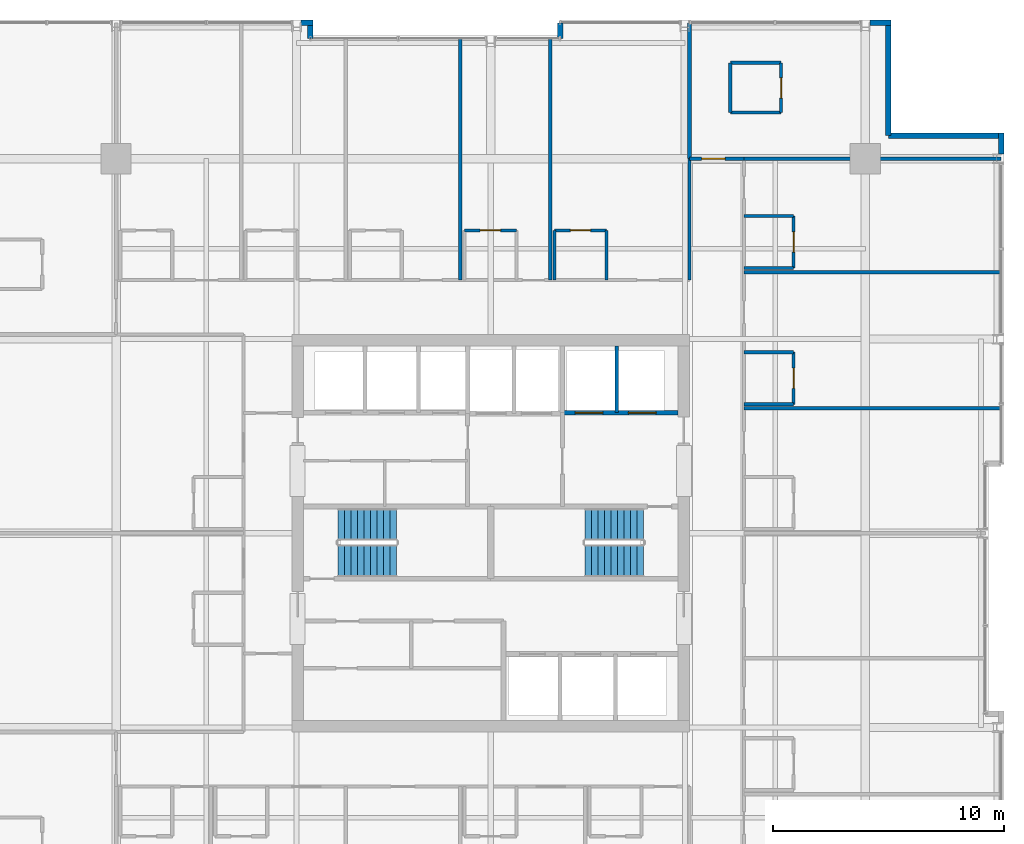
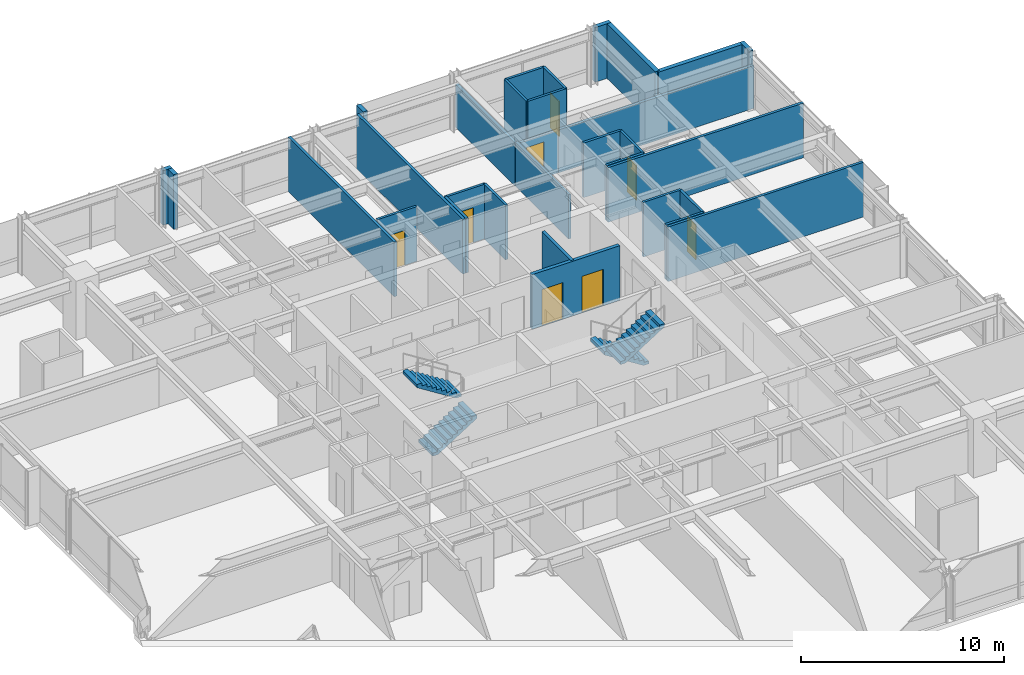
# One storey, part 30 of 32: 31 walls, 8 doors, 4 stair flights, 8 openings, 2 elements without a shape of their own.
"""IFC4 building model written with IfcOpenShell, lengths in metres."""

from ifc_helpers import new_model, si_unit, direction, frame, frame_2d, origin, place, context, subcontext, project, spatial, polyline, rectangle, outline, extrude, material, layer, layer_set, type_object, element, fill, aggregate, save


model = new_model("IFC4")

# Units and contexts
model_context = context("Model", 3, precision=1e-05, world=origin(), true_north=direction((0.0, 1.0)))
body_context = subcontext(model_context, "Body", "Model", "MODEL_VIEW")
ifc_project = project(units=[si_unit("LENGTHUNIT", "METRE"), si_unit("AREAUNIT", "SQUARE_METRE"), si_unit("VOLUMEUNIT", "CUBIC_METRE"), si_unit("PLANEANGLEUNIT", "RADIAN"), si_unit("MASSUNIT", "GRAM", prefix="KILO")], contexts=[model_context])

# Site, building, storey
site_placement = place(None, origin())
site = spatial("IfcSite", under=ifc_project, at=site_placement, CompositionType="ELEMENT")
building_placement = place(site_placement, origin())
building = spatial("IfcBuilding", under=site, at=building_placement, Name="Drelvath Grand Hotel", CompositionType="ELEMENT")
storey_placement = place(building_placement, frame((0.0, 0.0, 157.5)))
storey = spatial("IfcBuildingStorey", under=building, at=storey_placement, Name="L40", CompositionType="ELEMENT", Elevation=157.5)

# Wall, openings, doors
ifc_material_1 = material(Name="Concrete C40/50", Category="concrete")
ifc_layer_1 = layer(ifc_material_1, 0.199951171875)
ifc_layer_set_1 = layer_set([ifc_layer_1], Name="Concrete C40/50")
wall_type_1 = type_object("IfcWallType", Name="Core Hoistway Fire Wall 200", PredefinedType="SOLIDWALL", material=ifc_layer_set_1)
wall_1_placement = place(storey_placement, frame((3.10009765625, 32.219970703125, 0.0), z_axis=(0.0, 0.0, 1.0), x_axis=(1.0, 0.0, 0.0)))
wall_1 = element("IfcWall", 1, at=wall_1_placement, inside=storey, type_object=wall_type_1, Name="L40 FSAE Hoistway Front Wall", PredefinedType="SOLIDWALL", context=body_context, shape_type="SweptSolid", body=[
    extrude(rectangle(XDim=5.0, YDim=0.199951171875, at=frame_2d((2.5, 0.0))), origin(), (0.0, 0.0, 1.0), 3.2900390625),
])
opening_1_placement = place(wall_1_placement, frame((0.550048828125, 0.0, 0.0)))
opening_1 = element("IfcOpeningElement", 2, at=opening_1_placement, cuts=wall_1, Name="Opening LD-FSAE-1", PredefinedType="OPENING", context=body_context, shape_type="SweptSolid", body=[
    extrude(rectangle(XDim=1.199951171875, YDim=2.199951171875, at=frame_2d((0.60009765625, 1.10009765625))), frame((0.0, 0.10986328125, 0.0), z_axis=(0.0, -1.0, 0.0), x_axis=(1.0, 0.0, 0.0)), (0.0, 0.0, 1.0), 0.219970703125),
])
opening_2_placement = place(wall_1_placement, frame((2.85009765625, 0.0, 0.0)))
opening_2 = element("IfcOpeningElement", 3, at=opening_2_placement, cuts=wall_1, Name="Opening LD-FSAE-2", PredefinedType="OPENING", context=body_context, shape_type="SweptSolid", body=[
    extrude(rectangle(XDim=1.199951171875, YDim=2.199951171875, at=frame_2d((0.60009765625, 1.10009765625))), frame((0.0, 0.10986328125, 0.0), z_axis=(0.0, -1.0, 0.0), x_axis=(1.0, 0.0, 0.0)), (0.0, 0.0, 1.0), 0.219970703125),
])
ifc_material_2 = material(Name="Stainless Steel S355", Category="steel")
door_type_1 = type_object("IfcDoorType", Name="FSAE Lift Sliding Landing Door 1200x2200", OperationType="NOTDEFINED", PredefinedType="DOOR", material=ifc_material_2)
door_1_placement = place(opening_1_placement, origin())
door_1 = element("IfcDoor", 4, at=door_1_placement, inside=storey, type_object=door_type_1, Name="L40 Lift FSAE-1 Landing Door", OperationType="SLIDING_TO_LEFT", OverallHeight=2.199951171875, OverallWidth=1.199951171875, PredefinedType="DOOR", context=body_context, shape_type="SweptSolid", body=[
    extrude(rectangle(XDim=1.199951171875, YDim=2.199951171875, at=frame_2d((0.60009765625, 1.10009765625))), frame((0.0, 0.02490234375, 0.0), z_axis=(0.0, -1.0, 0.0), x_axis=(1.0, 0.0, 0.0)), (0.0, 0.0, 1.0), 0.050048828125),
])
fill(opening_1, door_1)
door_2_placement = place(opening_2_placement, origin())
door_2 = element("IfcDoor", 5, at=door_2_placement, inside=storey, type_object=door_type_1, Name="L40 Lift FSAE-2 Landing Door", OperationType="SLIDING_TO_LEFT", OverallHeight=2.199951171875, OverallWidth=1.199951171875, PredefinedType="DOOR", context=body_context, shape_type="SweptSolid", body=[
    extrude(rectangle(XDim=1.199951171875, YDim=2.199951171875, at=frame_2d((0.60009765625, 1.10009765625))), frame((0.0, 0.02490234375, 0.0), z_axis=(0.0, -1.0, 0.0), x_axis=(1.0, 0.0, 0.0)), (0.0, 0.0, 1.0), 0.050048828125),
])
fill(opening_2, door_2)

# Walls
ifc_material_3 = material(Name="Gypsum Fireboard Partition")
ifc_layer_2 = layer(ifc_material_3, 0.1650390625)
ifc_layer_set_2 = layer_set([ifc_layer_2], Name="Gypsum Fireboard Partition")
wall_type_2 = type_object("IfcWallType", Name="Core Shaft Partition 165", PredefinedType="PARTITIONING", material=ifc_layer_set_2)
wall_2_placement = place(storey_placement, frame((5.449951171875, 32.219970703125, 0.0), z_axis=(0.0, 0.0, 1.0), x_axis=(0.0, 1.0, 0.0)))
element("IfcWall", 6, at=wall_2_placement, inside=storey, type_object=wall_type_2, Name="L40 FSAE Hoistway Divider", PredefinedType="PARTITIONING", context=body_context, shape_type="SweptSolid", body=[
    extrude(rectangle(XDim=2.880126953125, YDim=0.1650390625, at=frame_2d((1.43994140625, 0.0))), origin(), (0.0, 0.0, 1.0), 3.2900390625),
])
ifc_layer_3 = layer(ifc_material_3, 0.135009765625)
ifc_layer_set_3 = layer_set([ifc_layer_3], Name="Gypsum Fireboard Partition")
wall_type_3 = type_object("IfcWallType", Name="Corridor Fire Barrier Wall 135", PredefinedType="PARTITIONING", material=ifc_layer_set_3)
wall_3_placement = place(storey_placement, frame((8.60009765625, 37.949951171875, 0.0), z_axis=(0.0, 0.0, 1.0), x_axis=(0.0, 1.0, 0.0)))
element("IfcWall", 7, at=wall_3_placement, inside=storey, type_object=wall_type_3, Name="L40 East Spine North Inner Wall", PredefinedType="PARTITIONING", context=body_context, shape_type="SweptSolid", body=[
    extrude(rectangle(XDim=5.25, YDim=0.135009765625, at=frame_2d((2.625, 0.0))), origin(), (0.0, 0.0, 1.0), 2.66748046875),
])

# Wall, opening, door
wall_4_placement = place(storey_placement, frame((8.60009765625, 43.199951171875, 0.0), z_axis=(0.0, 0.0, 1.0), x_axis=(1.0, 0.0, 0.0)))
wall_4 = element("IfcWall", 8, at=wall_4_placement, inside=storey, type_object=wall_type_3, Name="L40 East Spine North End", PredefinedType="PARTITIONING", context=body_context, shape_type="SweptSolid", body=[
    extrude(rectangle(XDim=2.349853515625, YDim=0.135009765625, at=frame_2d((1.1748046875, 0.0))), origin(), (0.0, 0.0, 1.0), 2.57958984375),
])
opening_3_placement = place(wall_4_placement, frame((0.52001953125, 0.0, 0.0)))
opening_3 = element("IfcOpeningElement", 9, at=opening_3_placement, cuts=wall_4, Name="Opening D-T3G1-033", PredefinedType="OPENING", context=body_context, shape_type="SweptSolid", body=[
    extrude(rectangle(XDim=1.02001953125, YDim=2.14990234375, at=frame_2d((0.510009765625, 1.074951171875))), frame((0.0, 0.077392578125, 0.0), z_axis=(0.0, -1.0, 0.0), x_axis=(1.0, 0.0, 0.0)), (0.0, 0.0, 1.0), 0.155029296875),
])
ifc_material_4 = material(Name="Hardwood Walnut Timber", Category="wood")
door_type_2 = type_object("IfcDoorType", Name="Amenity Meeting Fire Door 1020x2150", OperationType="NOTDEFINED", PredefinedType="DOOR", material=ifc_material_4)
door_3_placement = place(opening_3_placement, origin())
door_3 = element("IfcDoor", 10, at=door_3_placement, inside=storey, type_object=door_type_2, Name="L40 Executive Suite Entry Door", OperationType="SINGLE_SWING_LEFT", OverallHeight=2.14990234375, OverallWidth=1.02001953125, PredefinedType="DOOR", context=body_context, shape_type="SweptSolid", body=[
    extrude(rectangle(XDim=1.02001953125, YDim=2.14990234375, at=frame_2d((0.510009765625, 1.074951171875))), frame((0.0, 0.02490234375, 0.0), z_axis=(0.0, -1.0, 0.0), x_axis=(1.0, 0.0, 0.0)), (0.0, 0.0, 1.0), 0.050048828125),
])
fill(opening_3, door_3)

# Walls
ifc_material_5 = material(Name="Moisture-Resistant Gypsum Board")
ifc_layer_4 = layer(ifc_material_5, 0.139892578125)
ifc_layer_set_4 = layer_set([ifc_layer_4], Name="Moisture-Resistant Gypsum Board")
wall_type_4 = type_object("IfcWallType", Name="En-Suite Plumbing Wall 140", PredefinedType="PLUMBINGWALL", material=ifc_layer_set_4)
for number, where, z_axis, x_axis, name in (
    (11, (10.360107421875, 45.199951171875, 0.0), (0.0, 0.0, 1.0), (1.0, 0.0, 0.0), "L40 Corner En-Suite South"),
    (12, (10.360107421875, 47.35009765625, 0.0), (0.0, 0.0, 1.0), (1.0, 0.0, 0.0), "L40 Corner En-Suite North"),
):
    element("IfcWall", number, at=place(storey_placement, frame(where, z_axis=z_axis, x_axis=x_axis)), inside=storey, type_object=wall_type_4, Name=name, PredefinedType="PLUMBINGWALL", context=body_context, shape_type="SweptSolid", body=[
        extrude(rectangle(XDim=2.199951171875, YDim=0.139892578125, at=frame_2d((1.10009765625, 0.0))), origin(), (0.0, 0.0, 1.0), 3.2900390625),
    ])
wall_5_placement = place(storey_placement, frame((10.360107421875, 45.199951171875, 0.0), z_axis=(0.0, 0.0, 1.0), x_axis=(0.0, 1.0, 0.0)))
element("IfcWall", 13, at=wall_5_placement, inside=storey, type_object=wall_type_4, Name="L40 Corner En-Suite West", PredefinedType="PLUMBINGWALL", context=body_context, shape_type="SweptSolid", body=[
    extrude(rectangle(XDim=2.150146484375, YDim=0.139892578125, at=frame_2d((1.0751953125, 0.0))), origin(), (0.0, 0.0, 1.0), 3.2900390625),
])

# Wall, opening, door
wall_6_placement = place(storey_placement, frame((12.56005859375, 45.199951171875, 0.0), z_axis=(0.0, 0.0, 1.0), x_axis=(0.0, 1.0, 0.0)))
wall_6 = element("IfcWall", 14, at=wall_6_placement, inside=storey, type_object=wall_type_4, Name="L40 Corner En-Suite East", PredefinedType="PLUMBINGWALL", context=body_context, shape_type="SweptSolid", body=[
    extrude(rectangle(XDim=2.150146484375, YDim=0.139892578125, at=frame_2d((1.0751953125, 0.0))), origin(), (0.0, 0.0, 1.0), 3.2900390625),
])
opening_4_placement = place(wall_6_placement, frame((0.6201171875, 0.0, 0.0)))
opening_4 = element("IfcOpeningElement", 15, at=opening_4_placement, cuts=wall_6, Name="Opening D-T3G1-032", PredefinedType="OPENING", context=body_context, shape_type="SweptSolid", body=[
    extrude(rectangle(XDim=0.8798828125, YDim=2.10009765625, at=frame_2d((0.43994140625, 1.050048828125))), frame((0.0, 0.079833984375, 0.0), z_axis=(0.0, -1.0, 0.0), x_axis=(1.0, 0.0, 0.0)), (0.0, 0.0, 1.0), 0.159912109375),
])
door_type_3 = type_object("IfcDoorType", Name="En-Suite Bathroom Door 880x2100", OperationType="NOTDEFINED", PredefinedType="DOOR", material=ifc_material_4)
door_4_placement = place(opening_4_placement, origin())
door_4 = element("IfcDoor", 16, at=door_4_placement, inside=storey, type_object=door_type_3, Name="L40 Corner En-Suite Door", OperationType="SINGLE_SWING_RIGHT", OverallHeight=2.10009765625, OverallWidth=0.8798828125, PredefinedType="DOOR", context=body_context, shape_type="SweptSolid", body=[
    extrude(rectangle(XDim=0.8798828125, YDim=2.10009765625, at=frame_2d((0.43994140625, 1.050048828125))), frame((0.0, 0.02490234375, 0.0), z_axis=(0.0, -1.0, 0.0), x_axis=(1.0, 0.0, 0.0)), (0.0, 0.0, 1.0), 0.050048828125),
])
fill(opening_4, door_4)

wall_7_placement = place(storey_placement, frame((-1.139892578125, 40.10009765625, 0.0), z_axis=(0.0, 0.0, 1.0), x_axis=(1.0, 0.0, 0.0)))
wall_7 = element("IfcWall", 17, at=wall_7_placement, inside=storey, type_object=wall_type_4, Name="L40 En-Suite Front Wall", PredefinedType="PLUMBINGWALL", context=body_context, shape_type="SweptSolid", body=[
    extrude(rectangle(XDim=2.25, YDim=0.139892578125, at=frame_2d((1.125, 0.0))), origin(), (0.0, 0.0, 1.0), 3.2900390625),
])
opening_5_placement = place(wall_7_placement, frame((0.68505859375, 0.0, 0.0)))
opening_5 = element("IfcOpeningElement", 18, at=opening_5_placement, cuts=wall_7, Name="Opening D-T3G1-049", PredefinedType="OPENING", context=body_context, shape_type="SweptSolid", body=[
    extrude(rectangle(XDim=0.8798828125, YDim=2.10009765625, at=frame_2d((0.43994140625, 1.050048828125))), frame((0.0, 0.079833984375, 0.0), z_axis=(0.0, -1.0, 0.0), x_axis=(1.0, 0.0, 0.0)), (0.0, 0.0, 1.0), 0.159912109375),
])
door_5_placement = place(opening_5_placement, origin())
door_5 = element("IfcDoor", 19, at=door_5_placement, inside=storey, type_object=door_type_3, Name="L40 En-Suite Bathroom Door", OperationType="SINGLE_SWING_LEFT", OverallHeight=2.10009765625, OverallWidth=0.8798828125, PredefinedType="DOOR", context=body_context, shape_type="SweptSolid", body=[
    extrude(rectangle(XDim=0.8798828125, YDim=2.10009765625, at=frame_2d((0.43994140625, 1.050048828125))), frame((0.0, 0.02490234375, 0.0), z_axis=(0.0, -1.0, 0.0), x_axis=(1.0, 0.0, 0.0)), (0.0, 0.0, 1.0), 0.050048828125),
])
fill(opening_5, door_5)

# Walls
for number, where, z_axis, x_axis, name in (
    (20, (2.760009765625, 37.949951171875, 0.0), (0.0, 0.0, 1.0), (0.0, 1.0, 0.0), "L40 En-Suite Left Wall"),
    (21, (5.010009765625, 37.949951171875, 0.0), (0.0, 0.0, 1.0), (0.0, 1.0, 0.0), "L40 En-Suite Right Wall"),
):
    element("IfcWall", number, at=place(storey_placement, frame(where, z_axis=z_axis, x_axis=x_axis)), inside=storey, type_object=wall_type_4, Name=name, PredefinedType="PLUMBINGWALL", context=body_context, shape_type="SweptSolid", body=[
        extrude(rectangle(XDim=2.150146484375, YDim=0.139892578125, at=frame_2d((1.0751953125, 0.0))), origin(), (0.0, 0.0, 1.0), 3.2900390625),
    ])

# Wall, opening, door
wall_8_placement = place(storey_placement, frame((2.760009765625, 40.10009765625, 0.0), z_axis=(0.0, 0.0, 1.0), x_axis=(1.0, 0.0, 0.0)))
wall_8 = element("IfcWall", 22, at=wall_8_placement, inside=storey, type_object=wall_type_4, Name="L40 En-Suite Front Wall", PredefinedType="PLUMBINGWALL", context=body_context, shape_type="SweptSolid", body=[
    extrude(rectangle(XDim=2.25, YDim=0.139892578125, at=frame_2d((1.125, 0.0))), origin(), (0.0, 0.0, 1.0), 3.2900390625),
])
opening_6_placement = place(wall_8_placement, frame((0.68505859375, 0.0, 0.0)))
opening_6 = element("IfcOpeningElement", 23, at=opening_6_placement, cuts=wall_8, Name="Opening D-T3G1-051", PredefinedType="OPENING", context=body_context, shape_type="SweptSolid", body=[
    extrude(rectangle(XDim=0.8798828125, YDim=2.10009765625, at=frame_2d((0.43994140625, 1.050048828125))), frame((0.0, 0.079833984375, 0.0), z_axis=(0.0, -1.0, 0.0), x_axis=(1.0, 0.0, 0.0)), (0.0, 0.0, 1.0), 0.159912109375),
])
door_6_placement = place(opening_6_placement, origin())
door_6 = element("IfcDoor", 24, at=door_6_placement, inside=storey, type_object=door_type_3, Name="L40 En-Suite Bathroom Door", OperationType="SINGLE_SWING_LEFT", OverallHeight=2.10009765625, OverallWidth=0.8798828125, PredefinedType="DOOR", context=body_context, shape_type="SweptSolid", body=[
    extrude(rectangle(XDim=0.8798828125, YDim=2.10009765625, at=frame_2d((0.43994140625, 1.050048828125))), frame((0.0, 0.02490234375, 0.0), z_axis=(0.0, -1.0, 0.0), x_axis=(1.0, 0.0, 0.0)), (0.0, 0.0, 1.0), 0.050048828125),
])
fill(opening_6, door_6)

# Walls
for number, where, z_axis, x_axis, name in (
    (25, (10.949951171875, 32.580078125, 0.0), (0.0, 0.0, 1.0), (1.0, 0.0, 0.0), "L40 En-Suite Left Wall"),
    (26, (10.949951171875, 34.830078125, 0.0), (0.0, 0.0, 1.0), (1.0, 0.0, 0.0), "L40 En-Suite Right Wall"),
):
    element("IfcWall", number, at=place(storey_placement, frame(where, z_axis=z_axis, x_axis=x_axis)), inside=storey, type_object=wall_type_4, Name=name, PredefinedType="PLUMBINGWALL", context=body_context, shape_type="SweptSolid", body=[
        extrude(rectangle(XDim=2.150146484375, YDim=0.139892578125, at=frame_2d((1.0751953125, 0.0))), origin(), (0.0, 0.0, 1.0), 3.2900390625),
    ])

# Wall, opening, door
wall_9_placement = place(storey_placement, frame((13.10009765625, 32.580078125, 0.0), z_axis=(0.0, 0.0, 1.0), x_axis=(0.0, 1.0, 0.0)))
wall_9 = element("IfcWall", 27, at=wall_9_placement, inside=storey, type_object=wall_type_4, Name="L40 En-Suite Front Wall", PredefinedType="PLUMBINGWALL", context=body_context, shape_type="SweptSolid", body=[
    extrude(rectangle(XDim=2.25, YDim=0.139892578125, at=frame_2d((1.125, 0.0))), origin(), (0.0, 0.0, 1.0), 3.2900390625),
])
opening_7_placement = place(wall_9_placement, frame((0.68505859375, 0.0, 0.0)))
opening_7 = element("IfcOpeningElement", 28, at=opening_7_placement, cuts=wall_9, Name="Opening D-T3G1-060", PredefinedType="OPENING", context=body_context, shape_type="SweptSolid", body=[
    extrude(rectangle(XDim=0.8798828125, YDim=2.10009765625, at=frame_2d((0.43994140625, 1.050048828125))), frame((0.0, 0.079833984375, 0.0), z_axis=(0.0, -1.0, 0.0), x_axis=(1.0, 0.0, 0.0)), (0.0, 0.0, 1.0), 0.159912109375),
])
door_7_placement = place(opening_7_placement, origin())
door_7 = element("IfcDoor", 29, at=door_7_placement, inside=storey, type_object=door_type_3, Name="L40 En-Suite Bathroom Door", OperationType="SINGLE_SWING_RIGHT", OverallHeight=2.10009765625, OverallWidth=0.8798828125, PredefinedType="DOOR", context=body_context, shape_type="SweptSolid", body=[
    extrude(rectangle(XDim=0.8798828125, YDim=2.10009765625, at=frame_2d((0.43994140625, 1.050048828125))), frame((0.0, 0.02490234375, 0.0), z_axis=(0.0, -1.0, 0.0), x_axis=(1.0, 0.0, 0.0)), (0.0, 0.0, 1.0), 0.050048828125),
])
fill(opening_7, door_7)

# Walls
for number, where, z_axis, x_axis, name in (
    (30, (10.949951171875, 38.470947265625, 0.0), (0.0, 0.0, 1.0), (1.0, 0.0, 0.0), "L40 En-Suite Left Wall"),
    (31, (10.949951171875, 40.720947265625, 0.0), (0.0, 0.0, 1.0), (1.0, 0.0, 0.0), "L40 En-Suite Right Wall"),
):
    element("IfcWall", number, at=place(storey_placement, frame(where, z_axis=z_axis, x_axis=x_axis)), inside=storey, type_object=wall_type_4, Name=name, PredefinedType="PLUMBINGWALL", context=body_context, shape_type="SweptSolid", body=[
        extrude(rectangle(XDim=2.150146484375, YDim=0.139892578125, at=frame_2d((1.0751953125, 0.0))), origin(), (0.0, 0.0, 1.0), 3.2900390625),
    ])

# Wall, opening, door
wall_10_placement = place(storey_placement, frame((13.10009765625, 38.470947265625, 0.0), z_axis=(0.0, 0.0, 1.0), x_axis=(0.0, 1.0, 0.0)))
wall_10 = element("IfcWall", 32, at=wall_10_placement, inside=storey, type_object=wall_type_4, Name="L40 En-Suite Front Wall", PredefinedType="PLUMBINGWALL", context=body_context, shape_type="SweptSolid", body=[
    extrude(rectangle(XDim=2.25, YDim=0.139892578125, at=frame_2d((1.125, 0.0))), origin(), (0.0, 0.0, 1.0), 3.2900390625),
])
opening_8_placement = place(wall_10_placement, frame((0.68505859375, 0.0, 0.0)))
opening_8 = element("IfcOpeningElement", 33, at=opening_8_placement, cuts=wall_10, Name="Opening D-T3G1-062", PredefinedType="OPENING", context=body_context, shape_type="SweptSolid", body=[
    extrude(rectangle(XDim=0.8798828125, YDim=2.10009765625, at=frame_2d((0.43994140625, 1.050048828125))), frame((0.0, 0.079833984375, 0.0), z_axis=(0.0, -1.0, 0.0), x_axis=(1.0, 0.0, 0.0)), (0.0, 0.0, 1.0), 0.159912109375),
])
door_8_placement = place(opening_8_placement, origin())
door_8 = element("IfcDoor", 34, at=door_8_placement, inside=storey, type_object=door_type_3, Name="L40 En-Suite Bathroom Door", OperationType="SINGLE_SWING_RIGHT", OverallHeight=2.10009765625, OverallWidth=0.8798828125, PredefinedType="DOOR", context=body_context, shape_type="SweptSolid", body=[
    extrude(rectangle(XDim=0.8798828125, YDim=2.10009765625, at=frame_2d((0.43994140625, 1.050048828125))), frame((0.0, 0.02490234375, 0.0), z_axis=(0.0, -1.0, 0.0), x_axis=(1.0, 0.0, 0.0)), (0.0, 0.0, 1.0), 0.050048828125),
])
fill(opening_8, door_8)

# Walls
ifc_material_6 = material(Name="Gypsum Acoustic Partition")
ifc_layer_5 = layer(ifc_material_6, 0.14990234375)
ifc_layer_set_5 = layer_set([ifc_layer_5], Name="Gypsum Acoustic Partition")
wall_type_5 = type_object("IfcWallType", Name="Guestroom Demising Wall 150", PredefinedType="PARTITIONING", material=ifc_layer_set_5)
for number, where, z_axis, x_axis, name in (
    (35, (-1.320068359375, 37.949951171875, 0.0), (0.0, 0.0, 1.0), (0.0, 1.0, 0.0), "L40 North Demising 3"),
    (36, (2.580078125, 37.949951171875, 0.0), (0.0, 0.0, 1.0), (0.0, 1.0, 0.0), "L40 North Demising 4"),
):
    element("IfcWall", number, at=place(storey_placement, frame(where, z_axis=z_axis, x_axis=x_axis)), inside=storey, type_object=wall_type_5, Name=name, PredefinedType="PARTITIONING", context=body_context, shape_type="SweptSolid", body=[
        extrude(rectangle(XDim=10.449951171875, YDim=0.14990234375, at=frame_2d((5.22509765625, 0.0))), origin(), (0.0, 0.0, 1.0), 3.2900390625),
    ])
for number, where, z_axis, x_axis, name in (
    (37, (10.949951171875, 32.39990234375, 0.0), (0.0, 0.0, 1.0), (1.0, 0.0, 0.0), "L40 East Demising 4"),
    (38, (10.949951171875, 38.291015625, 0.0), (0.0, 0.0, 1.0), (1.0, 0.0, 0.0), "L40 East Demising 5"),
):
    element("IfcWall", number, at=place(storey_placement, frame(where, z_axis=z_axis, x_axis=x_axis)), inside=storey, type_object=wall_type_5, Name=name, PredefinedType="PARTITIONING", context=body_context, shape_type="SweptSolid", body=[
        extrude(rectangle(XDim=11.130126953125, YDim=0.14990234375, at=frame_2d((5.56494140625, 0.0))), origin(), (0.0, 0.0, 1.0), 3.2900390625),
    ])
ifc_layer_6 = layer(ifc_material_6, 0.1650390625)
ifc_layer_set_6 = layer_set([ifc_layer_6], Name="Gypsum Acoustic Partition")
wall_type_6 = type_object("IfcWallType", Name="Suite Demising Wall 165", PredefinedType="PARTITIONING", material=ifc_layer_set_6)
wall_11_placement = place(storey_placement, frame((8.60009765625, 43.199951171875, 0.0), z_axis=(0.0, 0.0, 1.0), x_axis=(0.0, 1.0, 0.0)))
element("IfcWall", 39, at=wall_11_placement, inside=storey, type_object=wall_type_6, Name="L40 NE Suite West Wall", PredefinedType="PARTITIONING", context=body_context, shape_type="SweptSolid", body=[
    extrude(rectangle(XDim=5.880126953125, YDim=0.1650390625, at=frame_2d((2.93994140625, 0.0))), origin(), (0.0, 0.0, 1.0), 2.57958984375),
])
wall_12_placement = place(storey_placement, frame((10.949951171875, 43.199951171875, 0.0), z_axis=(0.0, 0.0, 1.0), x_axis=(1.0, 0.0, 0.0)))
element("IfcWall", 40, at=wall_12_placement, inside=storey, type_object=wall_type_6, Name="L40 NE Suite South Wall", PredefinedType="PARTITIONING", context=body_context, shape_type="SweptSolid", body=[
    extrude(rectangle(XDim=11.130126953125, YDim=0.1650390625, at=frame_2d((5.56494140625, 0.0))), origin(), (0.0, 0.0, 1.0), 2.57958984375),
])
ifc_material_7 = material(Name="Pale-Metal Insulated Aluminium Spandrel Assembly", Category="aluminium")
ifc_layer_7 = layer(ifc_material_7, 0.239990234375)
ifc_layer_set_7 = layer_set([ifc_layer_7], Name="Pale-Metal Insulated Aluminium Spandrel Assembly")
wall_type_7 = type_object("IfcWallType", Name="Tower Insulated Metal Spandrel Closure Wall 240", PredefinedType="STANDARD", material=ifc_layer_set_7)
wall_13_placement = place(storey_placement, frame((22.080078125, 44.320068359375, 0.0), z_axis=(0.0, 0.0, 1.0), x_axis=(0.0, -1.0, 0.0)))
element("IfcWall", 41, at=wall_13_placement, inside=storey, type_object=wall_type_7, Name="L40 Corner Pier Spandrel Wall EN3", PredefinedType="STANDARD", context=body_context, shape_type="SweptSolid", body=[
    extrude(rectangle(XDim=0.919921875, YDim=0.239990234375, at=frame_2d((0.4599609375, 0.0))), origin(), (0.0, 0.0, 1.0), 3.2900390625),
])
wall_14_placement = place(storey_placement, frame((-8.199951171875, 49.080078125, 0.0), z_axis=(0.0, 0.0, 1.0), x_axis=(1.0, 0.0, 0.0)))
element("IfcWall", 42, at=wall_14_placement, inside=storey, type_object=wall_type_7, Name="L40 Corner Pier Spandrel Wall NW3", PredefinedType="STANDARD", context=body_context, shape_type="SweptSolid", body=[
    extrude(rectangle(XDim=0.52001953125, YDim=0.239990234375, at=frame_2d((0.260009765625, 0.0))), origin(), (0.0, 0.0, 1.0), 3.2900390625),
])
wall_15_placement = place(storey_placement, frame((16.400146484375, 49.080078125, 0.0), z_axis=(0.0, 0.0, 1.0), x_axis=(1.0, 0.0, 0.0)))
element("IfcWall", 43, at=wall_15_placement, inside=storey, type_object=wall_type_7, Name="L40 Corner Pier Spandrel Wall NE3", PredefinedType="STANDARD", context=body_context, shape_type="SweptSolid", body=[
    extrude(rectangle(XDim=0.919921875, YDim=0.239990234375, at=frame_2d((0.4599609375, 0.0))), origin(), (0.0, 0.0, 1.0), 3.2900390625),
])
for number, where, z_axis, x_axis, name in (
    (44, (17.199951171875, 48.9599609375, 0.0), (0.0, 0.0, 1.0), (0.0, -1.0, 0.0), "L40 Notched Corner Return Spandrel Wall CNE1"),
    (45, (17.199951171875, 44.199951171875, 0.0), (0.0, 0.0, 1.0), (1.0, 0.0, 0.0), "L40 Notched Corner Return Spandrel Wall CNE2"),
):
    element("IfcWall", number, at=place(storey_placement, frame(where, z_axis=z_axis, x_axis=x_axis)), inside=storey, type_object=wall_type_7, Name=name, PredefinedType="STANDARD", context=body_context, shape_type="SweptSolid", body=[
        extrude(rectangle(XDim=4.760009765625, YDim=0.239990234375, at=frame_2d((2.3798828125, 0.0))), origin(), (0.0, 0.0, 1.0), 3.2900390625),
    ])
wall_16_placement = place(storey_placement, frame((-7.800048828125, 48.9599609375, 0.0), z_axis=(0.0, 0.0, 1.0), x_axis=(0.0, -1.0, 0.0)))
element("IfcWall", 46, at=wall_16_placement, inside=storey, type_object=wall_type_7, Name="L40 Notched Corner Return Spandrel Wall RN1", PredefinedType="STANDARD", context=body_context, shape_type="SweptSolid", body=[
    extrude(rectangle(XDim=0.56005859375, YDim=0.239990234375, at=frame_2d((0.280029296875, 0.0))), origin(), (0.0, 0.0, 1.0), 3.2900390625),
])
wall_17_placement = place(storey_placement, frame((3.0, 48.39990234375, 0.0), z_axis=(0.0, 0.0, 1.0), x_axis=(0.0, 1.0, 0.0)))
element("IfcWall", 47, at=wall_17_placement, inside=storey, type_object=wall_type_7, Name="L40 Notched Corner Return Spandrel Wall RN2", PredefinedType="STANDARD", context=body_context, shape_type="SweptSolid", body=[
    extrude(rectangle(XDim=0.68017578125, YDim=0.239990234375, at=frame_2d((0.340087890625, 0.0))), origin(), (0.0, 0.0, 1.0), 3.2900390625),
])

# Stair, stair flights
stair_type = type_object("IfcStairType", Name="Dogleg Exit Stair W1400-R177.5", PredefinedType="HALF_TURN_STAIR", material=ifc_material_1)
stair_1_placement = place(storey_placement, origin())
stair_1 = element("IfcStair", 48, at=stair_1_placement, inside=storey, type_object=stair_type, Name="L40 Core Exit Stair ST-1", PredefinedType="HALF_TURN_STAIR")
stair_flight_type = type_object("IfcStairFlightType", Name="Concrete Stair Flight W1400-R177.5", PredefinedType="STRAIGHT", material=ifc_material_1)
stair_flight_1_placement = place(storey_placement, frame((-6.60009765625, 25.820068359375, 0.0), z_axis=(0.0, 0.0, 1.0), x_axis=(1.0, 0.0, 0.0)))
stair_flight_1 = element("IfcStairFlight", 49, at=stair_flight_1_placement, type_object=stair_flight_type, Name="ST-1 flight 1", NumberOfRisers=10, NumberOfTreads=9, PredefinedType="STRAIGHT", RiserHeight=0.1775, TreadLength=0.28, context=body_context, shape_type="SweptSolid", body=[
    extrude(outline(polyline([(0.0, 0.0), (0.0, 0.177490234375), (0.280029296875, 0.177490234375), (0.280029296875, 0.35498046875), (0.56005859375, 0.35498046875), (0.56005859375, 0.532470703125), (0.840087890625, 0.532470703125), (0.840087890625, 0.7099609375), (1.1201171875, 0.7099609375), (1.1201171875, 0.887451171875), (1.39990234375, 0.887451171875), (1.39990234375, 1.06494140625), (1.679931640625, 1.06494140625), (1.679931640625, 1.242431640625), (1.9599609375, 1.242431640625), (1.9599609375, 1.419921875), (2.239990234375, 1.419921875), (2.239990234375, 1.597412109375), (2.52001953125, 1.597412109375), (2.52001953125, 1.77490234375), (2.52001953125, 1.408203125), (0.298583984375, 0.0), (0.0, 0.0)])), frame((0.0, 0.699951171875, 0.0), z_axis=(0.0, -1.0, 0.0), x_axis=(1.0, 0.0, 0.0)), (0.0, 0.0, 1.0), 1.39990234375),
])
stair_flight_2_placement = place(storey_placement, frame((-4.080078125, 27.3798828125, 1.77490234375), z_axis=(0.0, 0.0, 1.0), x_axis=(-1.0, 0.0, 0.0)))
stair_flight_2 = element("IfcStairFlight", 50, at=stair_flight_2_placement, type_object=stair_flight_type, Name="ST-1 flight 2", NumberOfRisers=10, NumberOfTreads=9, PredefinedType="STRAIGHT", RiserHeight=0.1775, TreadLength=0.28, context=body_context, shape_type="SweptSolid", body=[
    extrude(outline(polyline([(0.0, 0.0), (0.0, 0.177490234375), (0.280029296875, 0.177490234375), (0.280029296875, 0.35498046875), (0.56005859375, 0.35498046875), (0.56005859375, 0.532470703125), (0.840087890625, 0.532470703125), (0.840087890625, 0.7099609375), (1.1201171875, 0.7099609375), (1.1201171875, 0.887451171875), (1.39990234375, 0.887451171875), (1.39990234375, 1.06494140625), (1.679931640625, 1.06494140625), (1.679931640625, 1.242431640625), (1.9599609375, 1.242431640625), (1.9599609375, 1.419921875), (2.239990234375, 1.419921875), (2.239990234375, 1.597412109375), (2.52001953125, 1.597412109375), (2.52001953125, 1.77490234375), (2.52001953125, 1.408203125), (0.298583984375, 0.0), (0.0, 0.0)])), frame((0.0, 0.699951171875, 0.0), z_axis=(0.0, -1.0, 0.0), x_axis=(1.0, 0.0, 0.0)), (0.0, 0.0, 1.0), 1.39990234375),
])
aggregate(stair_1, [stair_flight_1, stair_flight_2])

stair_2_placement = place(storey_placement, origin())
stair_2 = element("IfcStair", 51, at=stair_2_placement, inside=storey, type_object=stair_type, Name="L40 Core Exit Stair ST-2", PredefinedType="HALF_TURN_STAIR")
stair_flight_3_placement = place(storey_placement, frame((6.60009765625, 27.3798828125, 0.0), z_axis=(0.0, 0.0, 1.0), x_axis=(-1.0, 0.0, 0.0)))
stair_flight_3 = element("IfcStairFlight", 52, at=stair_flight_3_placement, type_object=stair_flight_type, Name="ST-2 flight 1", NumberOfRisers=10, NumberOfTreads=9, PredefinedType="STRAIGHT", RiserHeight=0.1775, TreadLength=0.28, context=body_context, shape_type="SweptSolid", body=[
    extrude(outline(polyline([(0.0, 0.0), (0.0, 0.177490234375), (0.280029296875, 0.177490234375), (0.280029296875, 0.35498046875), (0.56005859375, 0.35498046875), (0.56005859375, 0.532470703125), (0.840087890625, 0.532470703125), (0.840087890625, 0.7099609375), (1.1201171875, 0.7099609375), (1.1201171875, 0.887451171875), (1.39990234375, 0.887451171875), (1.39990234375, 1.06494140625), (1.679931640625, 1.06494140625), (1.679931640625, 1.242431640625), (1.9599609375, 1.242431640625), (1.9599609375, 1.419921875), (2.239990234375, 1.419921875), (2.239990234375, 1.597412109375), (2.52001953125, 1.597412109375), (2.52001953125, 1.77490234375), (2.52001953125, 1.408203125), (0.298583984375, 0.0), (0.0, 0.0)])), frame((0.0, 0.699951171875, 0.0), z_axis=(0.0, -1.0, 0.0), x_axis=(1.0, 0.0, 0.0)), (0.0, 0.0, 1.0), 1.39990234375),
])
stair_flight_4_placement = place(storey_placement, frame((4.080078125, 25.820068359375, 1.77490234375), z_axis=(0.0, 0.0, 1.0), x_axis=(1.0, 0.0, 0.0)))
stair_flight_4 = element("IfcStairFlight", 53, at=stair_flight_4_placement, type_object=stair_flight_type, Name="ST-2 flight 2", NumberOfRisers=10, NumberOfTreads=9, PredefinedType="STRAIGHT", RiserHeight=0.1775, TreadLength=0.28, context=body_context, shape_type="SweptSolid", body=[
    extrude(outline(polyline([(0.0, 0.0), (0.0, 0.177490234375), (0.280029296875, 0.177490234375), (0.280029296875, 0.35498046875), (0.56005859375, 0.35498046875), (0.56005859375, 0.532470703125), (0.840087890625, 0.532470703125), (0.840087890625, 0.7099609375), (1.1201171875, 0.7099609375), (1.1201171875, 0.887451171875), (1.39990234375, 0.887451171875), (1.39990234375, 1.06494140625), (1.679931640625, 1.06494140625), (1.679931640625, 1.242431640625), (1.9599609375, 1.242431640625), (1.9599609375, 1.419921875), (2.239990234375, 1.419921875), (2.239990234375, 1.597412109375), (2.52001953125, 1.597412109375), (2.52001953125, 1.77490234375), (2.52001953125, 1.408203125), (0.298583984375, 0.0), (0.0, 0.0)])), frame((0.0, 0.699951171875, 0.0), z_axis=(0.0, -1.0, 0.0), x_axis=(1.0, 0.0, 0.0)), (0.0, 0.0, 1.0), 1.39990234375),
])
aggregate(stair_2, [stair_flight_3, stair_flight_4])

save(model, "model.ifc")
